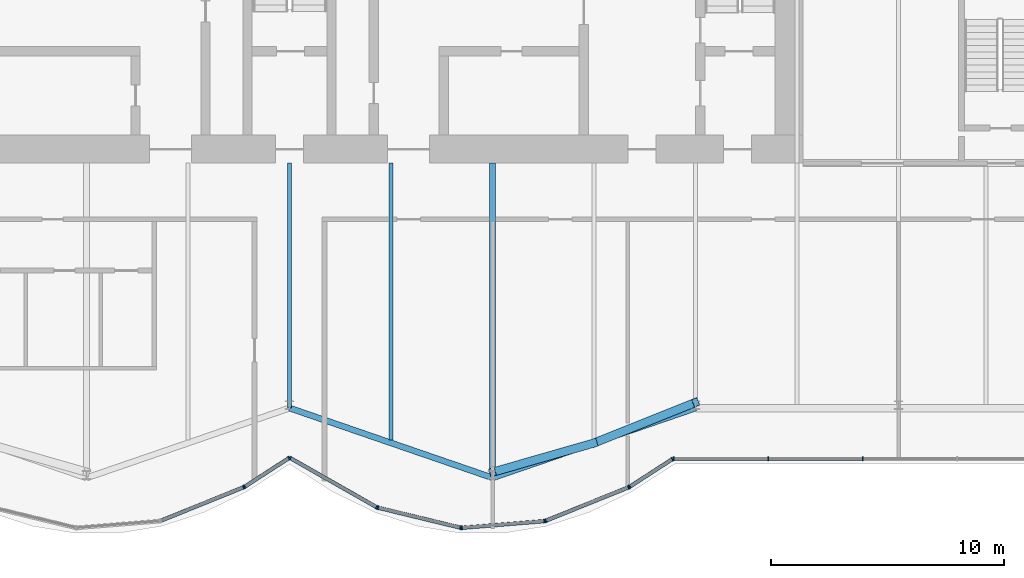
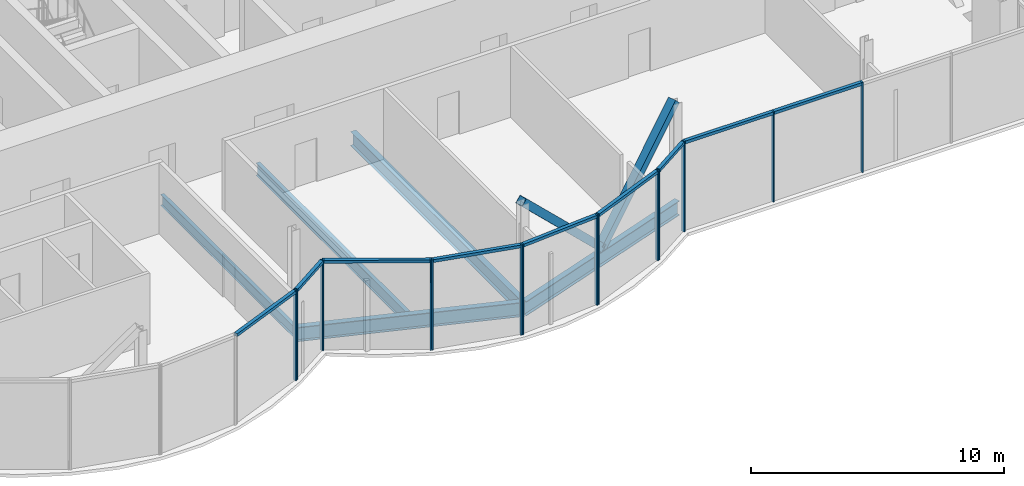
# One storey, part 7 of 17: 27 members, 5 beams, 3 elements without a shape of their own.
"""IFC4 building model written with IfcOpenShell, lengths in metres."""

from ifc_helpers import new_model, si_unit, direction, frame, origin, origin_2d, place, context, subcontext, project, spatial, rectangle, hollow_rectangle, i_section, extrude, material, material_profile, profile_set, type_object, element, aggregate, save


model = new_model("IFC4")

# Units and contexts
model_context = context("Model", 3, precision=1e-05, world=origin(), true_north=direction((0.0, 1.0)))
body_context = subcontext(model_context, "Body", "Model", "MODEL_VIEW")
ifc_project = project(units=[si_unit("LENGTHUNIT", "METRE"), si_unit("AREAUNIT", "SQUARE_METRE"), si_unit("VOLUMEUNIT", "CUBIC_METRE"), si_unit("PLANEANGLEUNIT", "RADIAN"), si_unit("MASSUNIT", "GRAM", prefix="KILO")], contexts=[model_context])

# Site, building, storey
site_placement = place(None, origin())
site = spatial("IfcSite", under=ifc_project, at=site_placement, CompositionType="ELEMENT")
building_placement = place(site_placement, origin())
building = spatial("IfcBuilding", under=site, at=building_placement, Name="Bicima Exchange Tower", CompositionType="ELEMENT")
storey_placement = place(building_placement, frame((0.0, 0.0, 320.0)))
storey = spatial("IfcBuildingStorey", under=building, at=storey_placement, Name="L72", CompositionType="ELEMENT", Elevation=320.0)

# Beams
ifc_material_1 = material(Name="Steel ASTM A992 Gr 50", Category="steel")
ifc_material_profile_1 = material_profile(ifc_material_1, i_section(OverallWidth=0.165771484375, OverallDepth=0.5283203125, WebThickness=0.009765625, FlangeThickness=0.013671875, at=origin_2d()))
ifc_profile_set_1 = profile_set([ifc_material_profile_1], Name="Steel ASTM A992 Gr 50")
beam_type_1 = type_object("IfcBeamType", Name="Floor beam W21x50", PredefinedType="JOIST", material=ifc_profile_set_1)
beam_1_placement = place(storey_placement, frame((0.0, -13.0, -0.414306640625), z_axis=(0.0, -1.0, 0.0), x_axis=(1.0, 0.0, 0.0)))
element("IfcBeam", 1, at=beam_1_placement, inside=storey, type_object=beam_type_1, Name="Floor beam", PredefinedType="JOIST", context=body_context, shape_type="SweptSolid", body=[
    extrude(i_section(OverallWidth=0.165771484375, OverallDepth=0.5283203125, WebThickness=0.009765625, FlangeThickness=0.013671875, at=origin_2d()), origin(), (0.0, 0.0, 1.0), 10.49609375),
])
ifc_material_profile_2 = material_profile(ifc_material_1, i_section(OverallWidth=0.177978515625, OverallDepth=0.599365234375, WebThickness=0.010009765625, FlangeThickness=0.012939453125, at=origin_2d()))
ifc_profile_set_2 = profile_set([ifc_material_profile_2], Name="Steel ASTM A992 Gr 50")
beam_type_2 = type_object("IfcBeamType", Name="Floor beam W24x55", PredefinedType="JOIST", material=ifc_profile_set_2)
beam_2_placement = place(storey_placement, frame((4.35009765625, -13.0, -0.44970703125), z_axis=(0.0, -1.0, 0.0), x_axis=(1.0, 0.0, 0.0)))
element("IfcBeam", 2, at=beam_2_placement, inside=storey, type_object=beam_type_2, Name="Floor beam", PredefinedType="JOIST", context=body_context, shape_type="SweptSolid", body=[
    extrude(i_section(OverallWidth=0.177978515625, OverallDepth=0.599365234375, WebThickness=0.010009765625, FlangeThickness=0.012939453125, at=origin_2d()), origin(), (0.0, 0.0, 1.0), 11.85595703125),
])
ifc_material_profile_3 = material_profile(ifc_material_1, i_section(OverallWidth=0.25390625, OverallDepth=0.67822265625, WebThickness=0.01171875, FlangeThickness=0.016357421875, at=origin_2d()))
ifc_profile_set_3 = profile_set([ifc_material_profile_3], Name="Steel ASTM A992 Gr 50")
beam_type_3 = type_object("IfcBeamType", Name="Floor beam W27x84", PredefinedType="JOIST", material=ifc_profile_set_3)
beam_3_placement = place(storey_placement, frame((8.699951171875, -13.0, -0.489013671875), z_axis=(0.0, -1.0, 0.0), x_axis=(1.0, 0.0, 0.0)))
element("IfcBeam", 3, at=beam_3_placement, inside=storey, type_object=beam_type_3, Name="Floor beam", PredefinedType="JOIST", context=body_context, shape_type="SweptSolid", body=[
    extrude(i_section(OverallWidth=0.25390625, OverallDepth=0.67822265625, WebThickness=0.01171875, FlangeThickness=0.016357421875, at=origin_2d()), origin(), (0.0, 0.0, 1.0), 13.351318359375),
])
ifc_material_profile_4 = material_profile(ifc_material_1, i_section(OverallWidth=0.256591796875, OverallDepth=0.693359375, WebThickness=0.014404296875, FlangeThickness=0.023681640625, at=origin_2d()))
ifc_profile_set_4 = profile_set([ifc_material_profile_4], Name="Steel ASTM A992 Gr 50")
beam_type_4 = type_object("IfcBeamType", Name="Front girder W27x114", PredefinedType="BEAM", material=ifc_profile_set_4)
for number, where, z_axis, x_axis, name in (
    (4, (0.0, -23.49609375, -0.49658203125), (0.945674616091, -0.32511462668, 0.0), (0.32511462668, 0.945674616091, 0.0), "Front girder"),
    (5, (8.699951171875, -26.487060546875, -0.49658203125), (0.945674616091, 0.32511462668, 0.0), (-0.32511462668, 0.945674616091, 0.0), "Front girder"),
):
    element("IfcBeam", number, at=place(storey_placement, frame(where, z_axis=z_axis, x_axis=x_axis)), inside=storey, type_object=beam_type_4, Name=name, PredefinedType="BEAM", context=body_context, shape_type="SweptSolid", body=[
        extrude(i_section(OverallWidth=0.256591796875, OverallDepth=0.693359375, WebThickness=0.014404296875, FlangeThickness=0.023681640625, at=origin_2d()), origin(), (0.0, 0.0, 1.0), 9.19970703125),
    ])

# Curtain wall, members
ifc_material_2 = material(Name="Anodised bronze aluminium", Category="aluminium")
curtain_wall_type = type_object("IfcCurtainWallType", Name="Front glass wall", PredefinedType="NOTDEFINED", material=ifc_material_2)
curtain_wall_1_placement = place(storey_placement, origin())
curtain_wall_1 = element("IfcCurtainWall", 6, at=curtain_wall_1_placement, inside=storey, type_object=curtain_wall_type, Name="Front glass wall L72 run 6", PredefinedType="NOTDEFINED")
ifc_material_profile_5 = material_profile(ifc_material_2, rectangle(XDim=0.159912109375, YDim=0.06005859375, at=origin_2d()))
ifc_profile_set_5 = profile_set([ifc_material_profile_5], Name="Anodised bronze aluminium")
member_type_1 = type_object("IfcMemberType", Name="Front glass wall mullion 60 x 160", PredefinedType="MULLION", material=ifc_profile_set_5)
member_1_placement = place(storey_placement, frame((-1.97412109375, -26.8916015625, 0.0), z_axis=(0.0, 0.0, 1.0), x_axis=(-0.374705304, 0.92714396679, 0.0)))
member_1 = element("IfcMember", 7, at=member_1_placement, type_object=member_type_1, Name="Front glass wall mullion 2", PredefinedType="MULLION", context=body_context, shape_type="SweptSolid", body=[
    extrude(rectangle(XDim=0.159912109375, YDim=0.06005859375, at=origin_2d()), origin(), (0.0, 0.0, 1.0), 4.35009765625),
])
member_2_placement = place(storey_placement, frame((-1.921142578125, -26.864013671875, 0.0), z_axis=(0.0, 0.0, 1.0), x_axis=(-0.542897457326, 0.839798994301, 0.0)))
member_2 = element("IfcMember", 8, at=member_2_placement, type_object=member_type_1, Name="Front glass wall mullion 1", PredefinedType="MULLION", context=body_context, shape_type="SweptSolid", body=[
    extrude(rectangle(XDim=0.159912109375, YDim=0.06005859375, at=origin_2d()), origin(), (0.0, 0.0, 1.0), 4.35009765625),
])
member_3_placement = place(storey_placement, frame((-0.025146484375, -25.638427734375, 0.0), z_axis=(0.0, 0.0, 1.0), x_axis=(-0.542897457326, 0.839798994301, 0.0)))
member_3 = element("IfcMember", 9, at=member_3_placement, type_object=member_type_1, Name="Front glass wall mullion 2", PredefinedType="MULLION", context=body_context, shape_type="SweptSolid", body=[
    extrude(rectangle(XDim=0.159912109375, YDim=0.06005859375, at=origin_2d()), origin(), (0.0, 0.0, 1.0), 4.35009765625),
])

curtain_wall_2_placement = place(storey_placement, origin())
curtain_wall_2 = element("IfcCurtainWall", 10, at=curtain_wall_2_placement, inside=storey, type_object=curtain_wall_type, Name="Front glass wall L72 run 11", PredefinedType="NOTDEFINED")
member_4_placement = place(storey_placement, frame((0.026123046875, -25.636962890625, 0.0), z_axis=(0.0, 0.0, 1.0), x_axis=(0.494330311331, 0.869274147378, 0.0)))
member_4 = element("IfcMember", 11, at=member_4_placement, type_object=member_type_1, Name="Front glass wall mullion 1", PredefinedType="MULLION", context=body_context, shape_type="SweptSolid", body=[
    extrude(rectangle(XDim=0.159912109375, YDim=0.06005859375, at=origin_2d()), origin(), (0.0, 0.0, 1.0), 4.35009765625),
])
member_5_placement = place(storey_placement, frame((3.7265625, -27.741455078125, 0.0), z_axis=(0.0, 0.0, 1.0), x_axis=(0.494330311331, 0.869274147378, 0.0)))
member_5 = element("IfcMember", 12, at=member_5_placement, type_object=member_type_1, Name="Front glass wall mullion 2", PredefinedType="MULLION", context=body_context, shape_type="SweptSolid", body=[
    extrude(rectangle(XDim=0.159912109375, YDim=0.06005859375, at=origin_2d()), origin(), (0.0, 0.0, 1.0), 4.35009765625),
])
member_6_placement = place(storey_placement, frame((3.781982421875, -27.76318359375, 0.0), z_axis=(0.0, 0.0, 1.0), x_axis=(0.235681529503, 0.971830343553, 0.0)))
member_6 = element("IfcMember", 13, at=member_6_placement, type_object=member_type_1, Name="Front glass wall mullion 1", PredefinedType="MULLION", context=body_context, shape_type="SweptSolid", body=[
    extrude(rectangle(XDim=0.159912109375, YDim=0.06005859375, at=origin_2d()), origin(), (0.0, 0.0, 1.0), 4.35009765625),
])
member_7_placement = place(storey_placement, frame((7.322509765625, -28.621826171875, 0.0), z_axis=(0.0, 0.0, 1.0), x_axis=(0.235681529503, 0.971830343553, 0.0)))
member_7 = element("IfcMember", 14, at=member_7_placement, type_object=member_type_1, Name="Front glass wall mullion 2", PredefinedType="MULLION", context=body_context, shape_type="SweptSolid", body=[
    extrude(rectangle(XDim=0.159912109375, YDim=0.06005859375, at=origin_2d()), origin(), (0.0, 0.0, 1.0), 4.35009765625),
])
member_8_placement = place(storey_placement, frame((7.381591796875, -28.626708984375, 0.0), z_axis=(0.0, 0.0, 1.0), x_axis=(-0.080588612633, 0.99674744821, 0.0)))
member_8 = element("IfcMember", 15, at=member_8_placement, type_object=member_type_1, Name="Front glass wall mullion 1", PredefinedType="MULLION", context=body_context, shape_type="SweptSolid", body=[
    extrude(rectangle(XDim=0.159912109375, YDim=0.06005859375, at=origin_2d()), origin(), (0.0, 0.0, 1.0), 4.35009765625),
])
member_9_placement = place(storey_placement, frame((10.916015625, -28.3408203125, 0.0), z_axis=(0.0, 0.0, 1.0), x_axis=(-0.080588612633, 0.99674744821, 0.0)))
member_9 = element("IfcMember", 16, at=member_9_placement, type_object=member_type_1, Name="Front glass wall mullion 2", PredefinedType="MULLION", context=body_context, shape_type="SweptSolid", body=[
    extrude(rectangle(XDim=0.159912109375, YDim=0.06005859375, at=origin_2d()), origin(), (0.0, 0.0, 1.0), 4.35009765625),
])
member_10_placement = place(storey_placement, frame((10.973876953125, -28.3271484375, 0.0), z_axis=(0.0, 0.0, 1.0), x_axis=(-0.374705304, 0.92714396679, 0.0)))
member_10 = element("IfcMember", 17, at=member_10_placement, type_object=member_type_1, Name="Front glass wall mullion 1", PredefinedType="MULLION", context=body_context, shape_type="SweptSolid", body=[
    extrude(rectangle(XDim=0.159912109375, YDim=0.06005859375, at=origin_2d()), origin(), (0.0, 0.0, 1.0), 4.35009765625),
])
member_11_placement = place(storey_placement, frame((14.52587890625, -26.8916015625, 0.0), z_axis=(0.0, 0.0, 1.0), x_axis=(-0.374705304, 0.92714396679, 0.0)))
member_11 = element("IfcMember", 18, at=member_11_placement, type_object=member_type_1, Name="Front glass wall mullion 2", PredefinedType="MULLION", context=body_context, shape_type="SweptSolid", body=[
    extrude(rectangle(XDim=0.159912109375, YDim=0.06005859375, at=origin_2d()), origin(), (0.0, 0.0, 1.0), 4.35009765625),
])
member_12_placement = place(storey_placement, frame((14.578857421875, -26.864013671875, 0.0), z_axis=(0.0, 0.0, 1.0), x_axis=(-0.542909183079, 0.839791413941, 0.0)))
member_12 = element("IfcMember", 19, at=member_12_placement, type_object=member_type_1, Name="Front glass wall mullion 1", PredefinedType="MULLION", context=body_context, shape_type="SweptSolid", body=[
    extrude(rectangle(XDim=0.159912109375, YDim=0.06005859375, at=origin_2d()), origin(), (0.0, 0.0, 1.0), 4.35009765625),
])
member_13_placement = place(storey_placement, frame((16.406982421875, -25.682373046875, 0.0), z_axis=(0.0, 0.0, 1.0), x_axis=(-0.542909183079, 0.839791413941, 0.0)))
member_13 = element("IfcMember", 20, at=member_13_placement, type_object=member_type_1, Name="Front glass wall mullion 2", PredefinedType="MULLION", context=body_context, shape_type="SweptSolid", body=[
    extrude(rectangle(XDim=0.159912109375, YDim=0.06005859375, at=origin_2d()), origin(), (0.0, 0.0, 1.0), 4.35009765625),
])

curtain_wall_3_placement = place(storey_placement, origin())
curtain_wall_3 = element("IfcCurtainWall", 21, at=curtain_wall_3_placement, inside=storey, type_object=curtain_wall_type, Name="Front glass wall L72 run 16", PredefinedType="NOTDEFINED")
member_14_placement = place(storey_placement, frame((16.462158203125, -25.666015625, 0.0), z_axis=(0.0, 0.0, 1.0), x_axis=(0.0, 1.0, 0.0)))
member_14 = element("IfcMember", 22, at=member_14_placement, type_object=member_type_1, Name="Front glass wall mullion 1", PredefinedType="MULLION", context=body_context, shape_type="SweptSolid", body=[
    extrude(rectangle(XDim=0.159912109375, YDim=0.06005859375, at=origin_2d()), origin(), (0.0, 0.0, 1.0), 4.35009765625),
])
member_15_placement = place(storey_placement, frame((20.51171875, -25.666015625, 0.0), z_axis=(0.0, 0.0, 1.0), x_axis=(0.0, 1.0, 0.0)))
member_15 = element("IfcMember", 23, at=member_15_placement, type_object=member_type_1, Name="Front glass wall mullion 2", PredefinedType="MULLION", context=body_context, shape_type="SweptSolid", body=[
    extrude(rectangle(XDim=0.159912109375, YDim=0.06005859375, at=origin_2d()), origin(), (0.0, 0.0, 1.0), 4.35009765625),
])
member_16_placement = place(storey_placement, frame((24.56103515625, -25.666015625, 0.0), z_axis=(0.0, 0.0, 1.0), x_axis=(0.0, 1.0, 0.0)))
member_16 = element("IfcMember", 24, at=member_16_placement, type_object=member_type_1, Name="Front glass wall mullion 3", PredefinedType="MULLION", context=body_context, shape_type="SweptSolid", body=[
    extrude(rectangle(XDim=0.159912109375, YDim=0.06005859375, at=origin_2d()), origin(), (0.0, 0.0, 1.0), 4.35009765625),
])

# Member
ifc_material_profile_6 = material_profile(ifc_material_2, rectangle(XDim=0.159912109375, YDim=0.139892578125, at=origin_2d()))
ifc_profile_set_6 = profile_set([ifc_material_profile_6], Name="Anodised bronze aluminium")
member_type_2 = type_object("IfcMemberType", Name="Front glass wall transom 140 x 160", PredefinedType="USERDEFINED", material=ifc_profile_set_6)
member_17_placement = place(storey_placement, frame((-5.498291015625, -28.31591796875, 4.280029296875), z_axis=(0.927140215882, 0.374714584842, 0.0), x_axis=(-0.374714584842, 0.927140215882, 0.0)))
member_17 = element("IfcMember", 25, at=member_17_placement, type_object=member_type_2, Name="Front glass wall transom 1.1", ObjectType="TRANSOM", PredefinedType="USERDEFINED", context=body_context, shape_type="SweptSolid", body=[
    extrude(rectangle(XDim=0.159912109375, YDim=0.139892578125, at=origin_2d()), origin(), (0.0, 0.0, 1.0), 3.77099609375),
])

member_18_placement = place(storey_placement, frame((-1.89599609375, -26.847900390625, 4.280029296875), z_axis=(0.839811483481, 0.542878137536, 0.0), x_axis=(-0.542878137536, 0.839811483481, 0.0)))
member_18 = element("IfcMember", 26, at=member_18_placement, type_object=member_type_2, Name="Front glass wall transom 1.1", ObjectType="TRANSOM", PredefinedType="USERDEFINED", context=body_context, shape_type="SweptSolid", body=[
    extrude(rectangle(XDim=0.159912109375, YDim=0.139892578125, at=origin_2d()), origin(), (0.0, 0.0, 1.0), 2.19775390625),
])

aggregate(curtain_wall_1, [member_1, member_17, member_2, member_3, member_18])

member_19_placement = place(storey_placement, frame((0.05224609375, -25.65185546875, 4.280029296875), z_axis=(0.869265121745, -0.494346182466, 0.0), x_axis=(0.494346182466, 0.869265121745, 0.0)))
member_19 = element("IfcMember", 27, at=member_19_placement, type_object=member_type_2, Name="Front glass wall transom 1.1", ObjectType="TRANSOM", PredefinedType="USERDEFINED", context=body_context, shape_type="SweptSolid", body=[
    extrude(rectangle(XDim=0.159912109375, YDim=0.139892578125, at=origin_2d()), origin(), (0.0, 0.0, 1.0), 4.19677734375),
])

member_20_placement = place(storey_placement, frame((3.81103515625, -27.770263671875, 4.280029296875), z_axis=(0.971817951661, -0.235732621477, 0.0), x_axis=(0.235732621477, 0.971817951661, 0.0)))
member_20 = element("IfcMember", 28, at=member_20_placement, type_object=member_type_2, Name="Front glass wall transom 1.1", ObjectType="TRANSOM", PredefinedType="USERDEFINED", context=body_context, shape_type="SweptSolid", body=[
    extrude(rectangle(XDim=0.159912109375, YDim=0.139892578125, at=origin_2d()), origin(), (0.0, 0.0, 1.0), 3.58349609375),
])

member_21_placement = place(storey_placement, frame((7.41162109375, -28.624267578125, 4.280029296875), z_axis=(0.9967456465, 0.080610893699, 0.0), x_axis=(-0.080610893699, 0.9967456465, 0.0)))
member_21 = element("IfcMember", 29, at=member_21_placement, type_object=member_type_2, Name="Front glass wall transom 1.1", ObjectType="TRANSOM", PredefinedType="USERDEFINED", context=body_context, shape_type="SweptSolid", body=[
    extrude(rectangle(XDim=0.159912109375, YDim=0.139892578125, at=origin_2d()), origin(), (0.0, 0.0, 1.0), 3.48583984375),
])

member_22_placement = place(storey_placement, frame((11.001708984375, -28.31591796875, 4.280029296875), z_axis=(0.927140215882, 0.374714584842, 0.0), x_axis=(-0.374714584842, 0.927140215882, 0.0)))
member_22 = element("IfcMember", 30, at=member_22_placement, type_object=member_type_2, Name="Front glass wall transom 1.1", ObjectType="TRANSOM", PredefinedType="USERDEFINED", context=body_context, shape_type="SweptSolid", body=[
    extrude(rectangle(XDim=0.159912109375, YDim=0.139892578125, at=origin_2d()), origin(), (0.0, 0.0, 1.0), 3.77099609375),
])

member_23_placement = place(storey_placement, frame((14.60400390625, -26.847900390625, 4.280029296875), z_axis=(0.839740302602, 0.542988235771, 0.0), x_axis=(-0.542988235771, 0.839740302602, 0.0)))
member_23 = element("IfcMember", 31, at=member_23_placement, type_object=member_type_2, Name="Front glass wall transom 1.1", ObjectType="TRANSOM", PredefinedType="USERDEFINED", context=body_context, shape_type="SweptSolid", body=[
    extrude(rectangle(XDim=0.159912109375, YDim=0.139892578125, at=origin_2d()), origin(), (0.0, 0.0, 1.0), 2.116943359375),
])

aggregate(curtain_wall_2, [member_4, member_5, member_19, member_6, member_7, member_20, member_8, member_9, member_21, member_10, member_11, member_22, member_12, member_13, member_23])

member_24_placement = place(storey_placement, frame((16.4921875, -25.666015625, 4.280029296875), z_axis=(1.0, 0.0, 0.0), x_axis=(0.0, 1.0, 0.0)))
member_24 = element("IfcMember", 32, at=member_24_placement, type_object=member_type_2, Name="Front glass wall transom 1.1", ObjectType="TRANSOM", PredefinedType="USERDEFINED", context=body_context, shape_type="SweptSolid", body=[
    extrude(rectangle(XDim=0.159912109375, YDim=0.139892578125, at=origin_2d()), origin(), (0.0, 0.0, 1.0), 3.989501953125),
])

member_25_placement = place(storey_placement, frame((20.54150390625, -25.666015625, 4.280029296875), z_axis=(1.0, 0.0, 0.0), x_axis=(0.0, 1.0, 0.0)))
member_25 = element("IfcMember", 33, at=member_25_placement, type_object=member_type_2, Name="Front glass wall transom 2.1", ObjectType="TRANSOM", PredefinedType="USERDEFINED", context=body_context, shape_type="SweptSolid", body=[
    extrude(rectangle(XDim=0.159912109375, YDim=0.139892578125, at=origin_2d()), origin(), (0.0, 0.0, 1.0), 3.989501953125),
])

aggregate(curtain_wall_3, [member_14, member_15, member_16, member_24, member_25])

# Members
ifc_material_3 = material(Name="Steel ASTM A572 Gr 50", Category="steel")
ifc_material_profile_7 = material_profile(ifc_material_3, hollow_rectangle(XDim=0.355712890625, YDim=0.355712890625, WallThickness=0.01171875, at=origin_2d()))
ifc_profile_set_7 = profile_set([ifc_material_profile_7], Name="Steel ASTM A572 Gr 50")
member_type_3 = type_object("IfcMemberType", Name="Mega brace HSS14x14x1/2", PredefinedType="BRACE", material=ifc_profile_set_7)
member_26_placement = place(storey_placement, frame((13.050048828125, -24.991455078125, 0.0), z_axis=(0.669627633412, 0.267783402821, 0.692741569234), x_axis=(-0.371309808925, 0.928509033772, 0.0)))
element("IfcMember", 34, at=member_26_placement, inside=storey, type_object=member_type_3, Name="Mega brace front", PredefinedType="BRACE", context=body_context, shape_type="SweptSolid", body=[
    extrude(hollow_rectangle(XDim=0.355712890625, YDim=0.355712890625, WallThickness=0.01171875, at=origin_2d()), origin(), (0.0, 0.0, 1.0), 6.495849609375),
])
member_27_placement = place(storey_placement, frame((13.050048828125, -24.991455078125, 0.0), z_axis=(-0.681534473108, -0.196106591291, 0.705019834343), x_axis=(0.276522876258, -0.961007335511, 0.0)))
element("IfcMember", 35, at=member_27_placement, inside=storey, type_object=member_type_3, Name="Mega brace front", PredefinedType="BRACE", context=body_context, shape_type="SweptSolid", body=[
    extrude(hollow_rectangle(XDim=0.355712890625, YDim=0.355712890625, WallThickness=0.01171875, at=origin_2d()), origin(), (0.0, 0.0, 1.0), 6.3828125),
])

save(model, "model.ifc")
